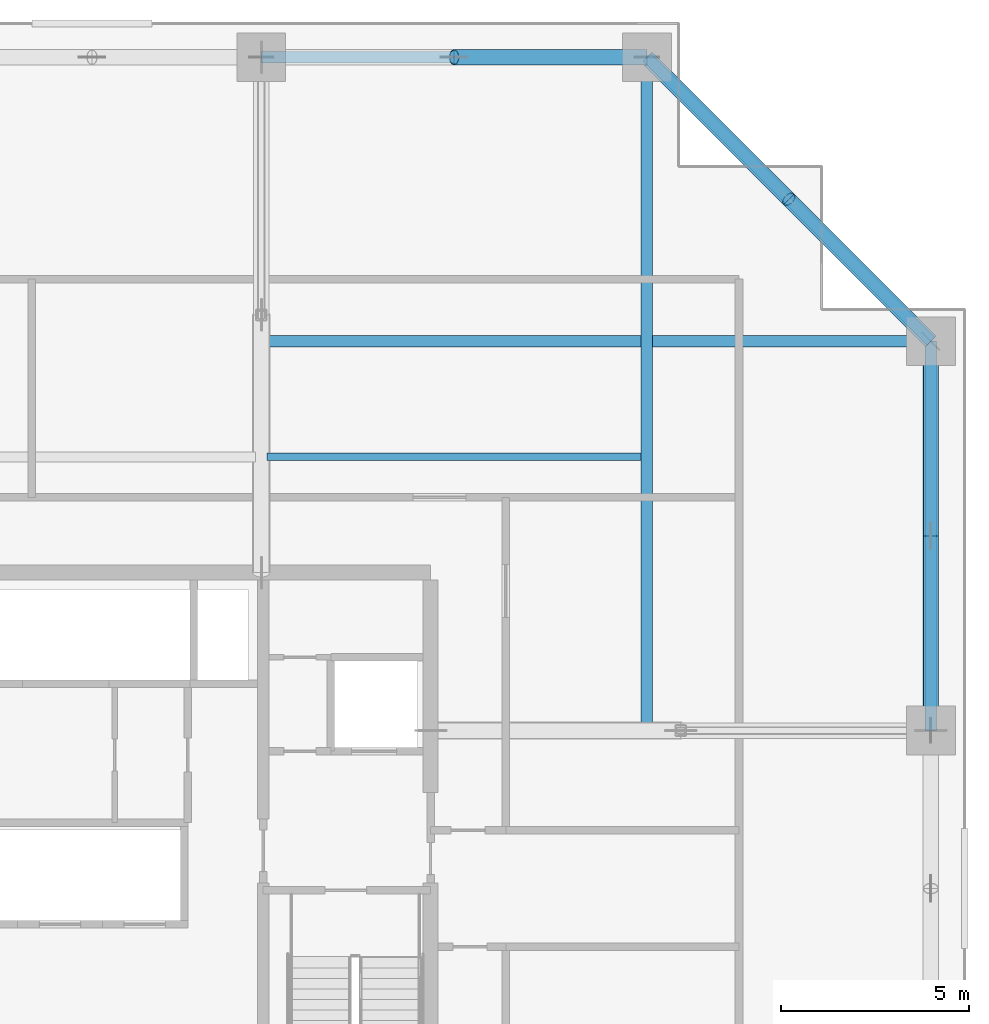
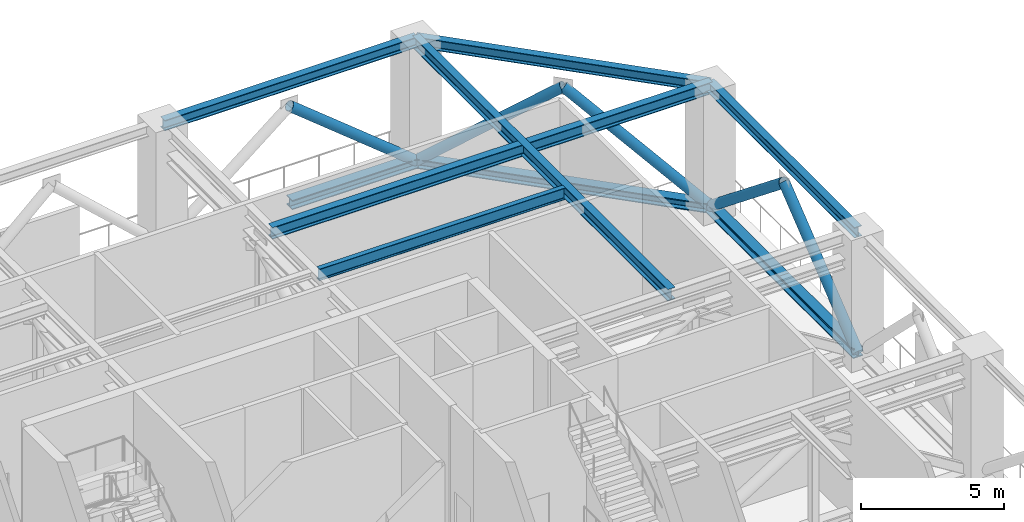
# One storey, part 6 of 22: 10 members, 6 beams.
"""IFC4 building model written with IfcOpenShell, lengths in metres."""

from ifc_helpers import new_model, si_unit, direction, frame, origin, origin_2d, place, context, subcontext, project, spatial, hollow_circle, i_section, extrude, source, transform, mapped, material, material_profile, profile_set, type_object, element, save


model = new_model("IFC4")

# Units and contexts
model_context = context("Model", 3, precision=1e-05, world=origin(), true_north=direction((0.0, 1.0)))
body_context = subcontext(model_context, "Body", "Model", "MODEL_VIEW")
ifc_project = project(units=[si_unit("LENGTHUNIT", "METRE"), si_unit("AREAUNIT", "SQUARE_METRE"), si_unit("VOLUMEUNIT", "CUBIC_METRE"), si_unit("PLANEANGLEUNIT", "RADIAN"), si_unit("MASSUNIT", "GRAM", prefix="KILO")], contexts=[model_context])

# Site, building, storey
site_placement = place(None, origin())
site = spatial("IfcSite", under=ifc_project, at=site_placement, CompositionType="ELEMENT")
building_placement = place(site_placement, origin())
building = spatial("IfcBuilding", under=site, at=building_placement, Name="Serunith Strait Residences", CompositionType="ELEMENT")
storey_placement = place(building_placement, frame((0.0, 0.0, 198.89990234375)))
storey = spatial("IfcBuildingStorey", under=building, at=storey_placement, Name="L50", CompositionType="ELEMENT", Elevation=198.89990234375)

# Beams
ifc_material_1 = material(Name="Steel S355J2", Category="steel")
ifc_material_profile_1 = material_profile(ifc_material_1, i_section(OverallWidth=0.300048828125, OverallDepth=0.5, WebThickness=0.014404296875, FlangeThickness=0.028076171875, FilletRadius=0.027099609375, at=origin_2d()), Name="HEB 500")
ifc_profile_set_1 = profile_set([ifc_material_profile_1], Name="Steel S355J2")
beam_type_1 = type_object("IfcBeamType", Name="BM-HEB500", PredefinedType="BEAM", material=ifc_profile_set_1)
shared_shape_1 = source(origin(), body_context, "Body", "SweptSolid", [
    extrude(i_section(OverallWidth=0.300048828125, OverallDepth=0.5, WebThickness=0.014404296875, FlangeThickness=0.028076171875, FilletRadius=0.027099609375, at=origin_2d()), origin(), (0.0, 0.0, 1.0), 17.900146484375),
])
beam_1_placement = place(storey_placement, frame((47.14990234375, 29.39990234375, 5.38720703125), z_axis=(0.0, 1.0, 0.0), x_axis=(-1.0, 0.0, 0.0)))
element("IfcBeam", 1, at=beam_1_placement, inside=storey, type_object=beam_type_1, Name="L50 Orthogonal Corner Girder TC-N4", PredefinedType="BEAM", context=body_context, shape_type="MappedRepresentation", body=[
    mapped(shared_shape_1, transform((0.0, 0.0, 0.0), scale=1.0)),
])
shared_shape_2 = source(origin(), body_context, "Body", "SweptSolid", [
    extrude(i_section(OverallWidth=0.300048828125, OverallDepth=0.5, WebThickness=0.014404296875, FlangeThickness=0.028076171875, FilletRadius=0.027099609375, at=origin_2d()), origin(), (0.0, 0.0, 1.0), 17.800048828125),
])
beam_2_placement = place(storey_placement, frame((36.89990234375, 39.75, 5.38720703125), z_axis=(1.0, 0.0, 0.0), x_axis=(0.0, 1.0, 0.0)))
element("IfcBeam", 2, at=beam_2_placement, inside=storey, type_object=beam_type_1, Name="L50 Orthogonal Corner Girder TC-E4", PredefinedType="BEAM", context=body_context, shape_type="MappedRepresentation", body=[
    mapped(shared_shape_2, transform((0.0, 0.0, 0.0), scale=1.0)),
])
ifc_material_profile_2 = material_profile(ifc_material_1, i_section(OverallWidth=0.300048828125, OverallDepth=0.449951171875, WebThickness=0.013916015625, FlangeThickness=0.02587890625, FilletRadius=0.027099609375, at=origin_2d()), Name="HEB 450")
ifc_profile_set_2 = profile_set([ifc_material_profile_2], Name="Steel S355J2")
beam_type_2 = type_object("IfcBeamType", Name="BM-HEB450", PredefinedType="BEAM", material=ifc_profile_set_2)
shared_shape_3 = source(origin(), body_context, "Body", "SweptSolid", [
    extrude(i_section(OverallWidth=0.300048828125, OverallDepth=0.449951171875, WebThickness=0.013916015625, FlangeThickness=0.02587890625, FilletRadius=0.027099609375, at=origin_2d()), origin(), (0.0, 0.0, 1.0), 10.25),
])
beam_3_placement = place(storey_placement, frame((47.14990234375, 47.300048828125, 5.412109375), z_axis=(-1.0, 0.0, 0.0), x_axis=(0.0, -1.0, 0.0)))
element("IfcBeam", 3, at=beam_3_placement, inside=storey, type_object=beam_type_2, Name="L50 Perimeter Ring Beam 09", PredefinedType="BEAM", context=body_context, shape_type="MappedRepresentation", body=[
    mapped(shared_shape_3, transform((0.0, 0.0, 0.0), scale=1.0)),
])
shared_shape_4 = source(origin(), body_context, "Body", "SweptSolid", [
    extrude(i_section(OverallWidth=0.300048828125, OverallDepth=0.449951171875, WebThickness=0.013916015625, FlangeThickness=0.02587890625, FilletRadius=0.027099609375, at=origin_2d()), origin(), (0.0, 0.0, 1.0), 10.35009765625),
])
beam_4_placement = place(storey_placement, frame((54.699951171875, 29.39990234375, 5.412109375), z_axis=(0.0, 1.0, 0.0), x_axis=(-1.0, 0.0, 0.0)))
element("IfcBeam", 4, at=beam_4_placement, inside=storey, type_object=beam_type_2, Name="L50 Perimeter Ring Beam 07", PredefinedType="BEAM", context=body_context, shape_type="MappedRepresentation", body=[
    mapped(shared_shape_4, transform((0.0, 0.0, 0.0), scale=1.0)),
])
shared_shape_5 = source(origin(), body_context, "Body", "SweptSolid", [
    extrude(i_section(OverallWidth=0.300048828125, OverallDepth=0.449951171875, WebThickness=0.013916015625, FlangeThickness=0.02587890625, FilletRadius=0.027099609375, at=origin_2d()), origin(), (0.0, 0.0, 1.0), 10.677490234375),
])
beam_5_placement = place(storey_placement, frame((54.699951171875, 39.75, 5.412109375), z_axis=(-0.707106781187, 0.707106781187, 0.0), x_axis=(-0.707106781187, -0.707106781187, 0.0)))
element("IfcBeam", 5, at=beam_5_placement, inside=storey, type_object=beam_type_2, Name="L50 Perimeter Ring Beam 08", PredefinedType="BEAM", context=body_context, shape_type="MappedRepresentation", body=[
    mapped(shared_shape_5, transform((0.0, 0.0, 0.0), scale=1.0)),
])
ifc_material_profile_3 = material_profile(ifc_material_1, i_section(OverallWidth=0.199951171875, OverallDepth=0.5, WebThickness=0.01025390625, FlangeThickness=0.01611328125, FilletRadius=0.02099609375, at=origin_2d()), Name="IPE 500")
ifc_profile_set_3 = profile_set([ifc_material_profile_3], Name="Steel S355J2")
beam_type_3 = type_object("IfcBeamType", Name="BM-IPE500", PredefinedType="JOIST", material=ifc_profile_set_3)
shared_shape_6 = source(origin(), body_context, "Body", "SweptSolid", [
    extrude(i_section(OverallWidth=0.199951171875, OverallDepth=0.5, WebThickness=0.01025390625, FlangeThickness=0.01611328125, FilletRadius=0.02099609375, at=origin_2d()), origin(), (0.0, 0.0, 1.0), 9.949951171875),
])
beam_6_placement = place(storey_placement, frame((37.050048828125, 36.675048828125, 5.38720703125), z_axis=(1.0, 0.0, 0.0), x_axis=(0.0, 1.0, 0.0)))
element("IfcBeam", 6, at=beam_6_placement, inside=storey, type_object=beam_type_3, Name="L50 Composite Floor Joist 06", PredefinedType="JOIST", context=body_context, shape_type="MappedRepresentation", body=[
    mapped(shared_shape_6, transform((0.0, 0.0, 0.0), scale=1.0)),
])

# Members
ifc_material_2 = material(Name="Steel S460M", Category="steel")
ifc_material_profile_4 = material_profile(ifc_material_2, i_section(OverallWidth=0.40087890625, OverallDepth=0.39892578125, WebThickness=0.02490234375, FlangeThickness=0.03955078125, FilletRadius=0.014892578125, at=origin_2d()), Name="HD 400x314")
ifc_profile_set_4 = profile_set([ifc_material_profile_4], Name="Steel S460M")
member_type_1 = type_object("IfcMemberType", Name="MBR-CHORD-HD314", PredefinedType="CHORD", material=ifc_profile_set_4)
shared_shape_7 = source(origin(), body_context, "Body", "SweptSolid", [
    extrude(i_section(OverallWidth=0.40087890625, OverallDepth=0.39892578125, WebThickness=0.02490234375, FlangeThickness=0.03955078125, FilletRadius=0.014892578125, at=origin_2d()), origin(), (0.0, 0.0, 1.0), 5.125),
])
member_1_placement = place(storey_placement, frame((47.14990234375, 47.300048828125, 0.25), z_axis=(-1.0, 0.0, 0.0), x_axis=(0.0, -1.0, 0.0)))
element("IfcMember", 7, at=member_1_placement, inside=storey, type_object=member_type_1, Name="L50 Belt Truss Bay 09 Chord A", PredefinedType="CHORD", context=body_context, shape_type="MappedRepresentation", body=[
    mapped(shared_shape_7, transform((0.0, 0.0, 0.0), scale=1.0)),
])
ifc_material_profile_5 = material_profile(ifc_material_2, hollow_circle(Radius=0.203125, WallThickness=0.01611328125, at=origin_2d()), Name="CHS 406.4x16")
ifc_profile_set_5 = profile_set([ifc_material_profile_5], Name="Steel S460M")
member_type_2 = type_object("IfcMemberType", Name="MBR-DIAG-CHS406", PredefinedType="BRACE", material=ifc_profile_set_5)
shared_shape_8 = source(origin(), body_context, "Body", "SweptSolid", [
    extrude(hollow_circle(Radius=0.203125, WallThickness=0.01611328125, at=origin_2d()), origin(), (0.0, 0.0, 1.0), 6.58837890625),
])
member_2_placement = place(storey_placement, frame((47.14990234375, 47.300048828125, 0.25), z_axis=(-0.77788823023, 0.0, 0.628402658548), x_axis=(0.0, -1.0, 0.0)))
element("IfcMember", 8, at=member_2_placement, inside=storey, type_object=member_type_2, Name="L50 Belt Truss Bay 09 Diagonal 1", PredefinedType="BRACE", context=body_context, shape_type="MappedRepresentation", body=[
    mapped(shared_shape_8, transform((0.0, 0.0, 0.0), scale=1.0)),
])
shared_shape_9 = source(origin(), body_context, "Body", "SweptSolid", [
    extrude(i_section(OverallWidth=0.40087890625, OverallDepth=0.39892578125, WebThickness=0.02490234375, FlangeThickness=0.03955078125, FilletRadius=0.014892578125, at=origin_2d()), origin(), (0.0, 0.0, 1.0), 5.338623046875),
])
member_3_placement = place(storey_placement, frame((54.699951171875, 39.75, 0.25), z_axis=(-0.707106781187, 0.707106781187, 0.0), x_axis=(-0.707106781187, -0.707106781187, 0.0)))
element("IfcMember", 9, at=member_3_placement, inside=storey, type_object=member_type_1, Name="L50 Belt Truss Bay 08 Chord A", PredefinedType="CHORD", context=body_context, shape_type="MappedRepresentation", body=[
    mapped(shared_shape_9, transform((0.0, 0.0, 0.0), scale=1.0)),
])
shared_shape_10 = source(origin(), body_context, "Body", "SweptSolid", [
    extrude(hollow_circle(Radius=0.203125, WallThickness=0.01611328125, at=origin_2d()), origin(), (0.0, 0.0, 1.0), 6.755859375),
])
member_4_placement = place(storey_placement, frame((54.699951171875, 39.75, 0.25), z_axis=(-0.558766664618, 0.558766664618, 0.61282920053), x_axis=(-0.707106781187, -0.707106781187, 0.0)))
element("IfcMember", 10, at=member_4_placement, inside=storey, type_object=member_type_2, Name="L50 Belt Truss Bay 08 Diagonal 1", PredefinedType="BRACE", context=body_context, shape_type="MappedRepresentation", body=[
    mapped(shared_shape_10, transform((0.0, 0.0, 0.0), scale=1.0)),
])
shared_shape_11 = source(origin(), body_context, "Body", "SweptSolid", [
    extrude(i_section(OverallWidth=0.40087890625, OverallDepth=0.39892578125, WebThickness=0.02490234375, FlangeThickness=0.03955078125, FilletRadius=0.014892578125, at=origin_2d()), origin(), (0.0, 0.0, 1.0), 5.175048828125),
])
for number, where, z_axis, x_axis, name in (
    (11, (54.699951171875, 29.39990234375, 0.25), (0.0, 1.0, 0.0), (-1.0, 0.0, 0.0), "L50 Belt Truss Bay 07 Chord A"),
    (12, (54.699951171875, 34.574951171875, 0.25), (0.0, 1.0, 0.0), (-1.0, 0.0, 0.0), "L50 Belt Truss Bay 07 Chord B"),
):
    element("IfcMember", number, at=place(storey_placement, frame(where, z_axis=z_axis, x_axis=x_axis)), inside=storey, type_object=member_type_1, Name=name, PredefinedType="CHORD", context=body_context, shape_type="MappedRepresentation", body=[
        mapped(shared_shape_11, transform((0.0, 0.0, 0.0), scale=1.0)),
    ])
shared_shape_12 = source(origin(), body_context, "Body", "SweptSolid", [
    extrude(hollow_circle(Radius=0.203125, WallThickness=0.01611328125, at=origin_2d()), origin(), (0.0, 0.0, 1.0), 6.62744140625),
])
for number, where, z_axis, x_axis, name in (
    (13, (54.699951171875, 29.39990234375, 0.25), (0.0, 0.780861621429, 0.624704032466), (-1.0, 0.0, 0.0), "L50 Belt Truss Bay 07 Diagonal 1"),
    (14, (54.699951171875, 39.75, 0.25), (0.0, -0.780861621429, 0.624704032466), (1.0, 0.0, 0.0), "L50 Belt Truss Bay 07 Diagonal 2"),
):
    element("IfcMember", number, at=place(storey_placement, frame(where, z_axis=z_axis, x_axis=x_axis)), inside=storey, type_object=member_type_2, Name=name, PredefinedType="BRACE", context=body_context, shape_type="MappedRepresentation", body=[
        mapped(shared_shape_12, transform((0.0, 0.0, 0.0), scale=1.0)),
    ])
shared_shape_13 = source(origin(), body_context, "Body", "SweptSolid", [
    extrude(i_section(OverallWidth=0.40087890625, OverallDepth=0.39892578125, WebThickness=0.02490234375, FlangeThickness=0.03955078125, FilletRadius=0.014892578125, at=origin_2d()), origin(), (0.0, 0.0, 1.0), 5.3388671875),
])
member_5_placement = place(storey_placement, frame((50.925048828125, 43.52490234375, 0.25), z_axis=(-0.707106781187, 0.707106781187, 0.0), x_axis=(-0.707106781187, -0.707106781187, 0.0)))
element("IfcMember", 15, at=member_5_placement, inside=storey, type_object=member_type_1, Name="L50 Belt Truss Bay 08 Chord B", PredefinedType="CHORD", context=body_context, shape_type="MappedRepresentation", body=[
    mapped(shared_shape_13, transform((0.0, 0.0, 0.0), scale=1.0)),
])
shared_shape_14 = source(origin(), body_context, "Body", "SweptSolid", [
    extrude(hollow_circle(Radius=0.203125, WallThickness=0.01611328125, at=origin_2d()), origin(), (0.0, 0.0, 1.0), 6.756103515625),
])
member_6_placement = place(storey_placement, frame((47.14990234375, 47.300048828125, 0.25), z_axis=(0.558780235792, -0.558780235792, 0.612804451825), x_axis=(0.707106781187, 0.707106781187, 0.0)))
element("IfcMember", 16, at=member_6_placement, inside=storey, type_object=member_type_2, Name="L50 Belt Truss Bay 08 Diagonal 2", PredefinedType="BRACE", context=body_context, shape_type="MappedRepresentation", body=[
    mapped(shared_shape_14, transform((0.0, 0.0, 0.0), scale=1.0)),
])

save(model, "model.ifc")
